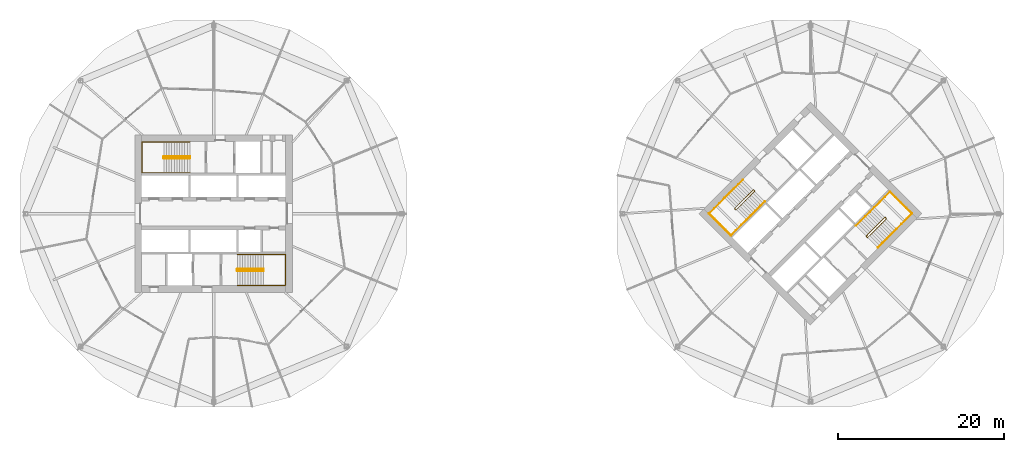
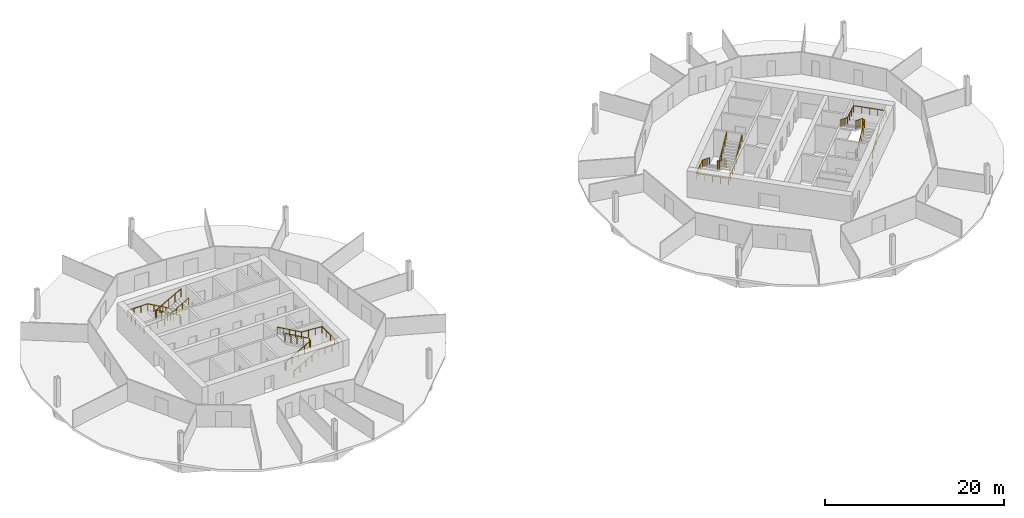
# One storey, part 9 of 9: 8 railings.
"""IFC4 building model written with IfcOpenShell, lengths in metres."""

from ifc_helpers import new_model, si_unit, direction, frame, origin, origin_2d, place, context, subcontext, project, spatial, circle, extrude, material, type_object, element, save


model = new_model("IFC4")

# Units and contexts
model_context = context("Model", 3, precision=1e-05, world=origin(), true_north=direction((0.0, 1.0)))
body_context = subcontext(model_context, "Body", "Model", "MODEL_VIEW")
ifc_project = project(units=[si_unit("LENGTHUNIT", "METRE"), si_unit("AREAUNIT", "SQUARE_METRE"), si_unit("VOLUMEUNIT", "CUBIC_METRE"), si_unit("PLANEANGLEUNIT", "RADIAN"), si_unit("MASSUNIT", "GRAM", prefix="KILO")], contexts=[model_context])

# Site, building, storey
site_placement = place(None, origin())
site = spatial("IfcSite", under=ifc_project, at=site_placement, CompositionType="ELEMENT")
building_placement = place(site_placement, origin())
building = spatial("IfcBuilding", under=site, at=building_placement, Name="Ogive Gate Towers", CompositionType="ELEMENT")
storey_placement = place(building_placement, frame((0.0, 0.0, 80.10009765625)))
storey = spatial("IfcBuildingStorey", under=building, at=storey_placement, Name="L18", CompositionType="ELEMENT", Elevation=80.10009765625)

# Railings
ifc_material = material(Name="Stainless steel", Category="steel")
railing_type_1 = type_object("IfcRailingType", Name="Stair guard 1100", PredefinedType="GUARDRAIL", material=ifc_material)
railing_1_placement = place(storey_placement, frame((-38.81494140625, 6.860107421875, 0.0)))
element("IfcRailing", 1, at=railing_1_placement, inside=storey, type_object=railing_type_1, Name="L18 ST1 stair guard 1", PredefinedType="GUARDRAIL", context=body_context, shape_type="SweptSolid", body=[
    extrude(circle(Radius=0.02392578125, at=origin_2d()), frame((0.0, 0.0, 1.076171875), z_axis=(0.0, -1.0, 0.0), x_axis=(1.0, 0.0, 0.0)), (0.0, 0.0, 1.0), 0.14501953125),
    extrude(circle(Radius=0.02392578125, at=origin_2d()), frame((0.0, -0.14501953125, 1.076171875), z_axis=(-0.186679794065, 0.726685247142, 0.661119660934), x_axis=(-0.968551454522, -0.24881334358, 0.0)), (0.0, 0.0, 1.0), 0.26806640625),
    extrude(circle(Radius=0.02392578125, at=origin_2d()), frame((-0.050048828125, 0.0498046875, 1.25341796875), z_axis=(-0.870572935281, 0.0, 0.492039393094), x_axis=(0.0, -1.0, 0.0)), (0.0, 0.0, 1.0), 3.602783203125),
    extrude(circle(Radius=0.02392578125, at=origin_2d()), frame((-3.1865234375, 0.0498046875, 3.02587890625), z_axis=(-0.707106781187, -0.707106781187, 0.0), x_axis=(0.707106781187, -0.707106781187, 0.0)), (0.0, 0.0, 1.0), 0.0703125),
    extrude(circle(Radius=0.02392578125, at=origin_2d()), frame((-3.236328125, 0.0, 3.02587890625), z_axis=(0.0, -1.0, 0.0), x_axis=(1.0, 0.0, 0.0)), (0.0, 0.0, 1.0), 0.14501953125),
    extrude(circle(Radius=0.02392578125, at=origin_2d()), frame((-3.236328125, -0.14501953125, 3.02587890625), z_axis=(0.261041864531, -0.262321481514, 0.929001929653), x_axis=(0.708833529934, 0.705375805398, 0.0)), (0.0, 0.0, 1.0), 0.190673828125),
    extrude(circle(Radius=0.02392578125, at=origin_2d()), frame((-3.1865234375, -0.195068359375, 3.203125), z_axis=(0.870572935281, 0.0, 0.492039393094), x_axis=(0.0, 1.0, 0.0)), (0.0, 0.0, 1.0), 3.602783203125),
    extrude(circle(Radius=0.02099609375, at=origin_2d()), origin(), (0.0, 0.0, 1.0), 1.052001953125),
    extrude(circle(Radius=0.02099609375, at=origin_2d()), frame((0.0, -0.14501953125, 0.0)), (0.0, 0.0, 1.0), 1.052001953125),
    extrude(circle(Radius=0.02099609375, at=origin_2d()), frame((-0.050048828125, 0.0498046875, 0.17724609375)), (0.0, 0.0, 1.0), 1.052001953125),
    extrude(circle(Radius=0.02099609375, at=origin_2d()), frame((-0.834228515625, 0.0498046875, 0.620361328125)), (0.0, 0.0, 1.0), 1.052001953125),
    extrude(circle(Radius=0.02099609375, at=origin_2d()), frame((-1.6181640625, 0.0498046875, 1.0634765625)), (0.0, 0.0, 1.0), 1.052001953125),
    extrude(circle(Radius=0.02099609375, at=origin_2d()), frame((-2.40234375, 0.0498046875, 1.5068359375)), (0.0, 0.0, 1.0), 1.052001953125),
    extrude(circle(Radius=0.02099609375, at=origin_2d()), frame((-3.1865234375, 0.0498046875, 1.949951171875)), (0.0, 0.0, 1.0), 1.052001953125),
    extrude(circle(Radius=0.02099609375, at=origin_2d()), frame((-3.236328125, 0.0, 1.949951171875)), (0.0, 0.0, 1.0), 1.052001953125),
    extrude(circle(Radius=0.02099609375, at=origin_2d()), frame((-3.236328125, -0.14501953125, 1.949951171875)), (0.0, 0.0, 1.0), 1.052001953125),
    extrude(circle(Radius=0.02099609375, at=origin_2d()), frame((-3.1865234375, -0.195068359375, 2.127197265625)), (0.0, 0.0, 1.0), 1.052001953125),
    extrude(circle(Radius=0.02099609375, at=origin_2d()), frame((-2.40234375, -0.195068359375, 2.5703125)), (0.0, 0.0, 1.0), 1.052001953125),
    extrude(circle(Radius=0.02099609375, at=origin_2d()), frame((-1.6181640625, -0.195068359375, 3.013671875)), (0.0, 0.0, 1.0), 1.052001953125),
    extrude(circle(Radius=0.02099609375, at=origin_2d()), frame((-0.834228515625, -0.195068359375, 3.456787109375)), (0.0, 0.0, 1.0), 1.052001953125),
    extrude(circle(Radius=0.02099609375, at=origin_2d()), frame((-0.050048828125, -0.195068359375, 3.89990234375)), (0.0, 0.0, 1.0), 1.052001953125),
])
railing_2_placement = place(storey_placement, frame((-33.18505859375, -6.860107421875, 0.0)))
element("IfcRailing", 2, at=railing_2_placement, inside=storey, type_object=railing_type_1, Name="L18 ST2 stair guard 1", PredefinedType="GUARDRAIL", context=body_context, shape_type="SweptSolid", body=[
    extrude(circle(Radius=0.02392578125, at=origin_2d()), frame((0.0, 0.0, 1.076171875), z_axis=(0.0, 1.0, 0.0), x_axis=(-1.0, 0.0, 0.0)), (0.0, 0.0, 1.0), 0.14501953125),
    extrude(circle(Radius=0.02392578125, at=origin_2d()), frame((0.0, 0.14501953125, 1.076171875), z_axis=(0.186679794065, -0.726685247142, 0.661119660934), x_axis=(0.968551454522, 0.24881334358, 0.0)), (0.0, 0.0, 1.0), 0.26806640625),
    extrude(circle(Radius=0.02392578125, at=origin_2d()), frame((0.050048828125, -0.0498046875, 1.25341796875), z_axis=(0.870572935281, 0.0, 0.492039393094), x_axis=(0.0, 1.0, 0.0)), (0.0, 0.0, 1.0), 3.602783203125),
    extrude(circle(Radius=0.02392578125, at=origin_2d()), frame((3.1865234375, -0.0498046875, 3.02587890625), z_axis=(0.707106781187, 0.707106781187, 0.0), x_axis=(-0.707106781187, 0.707106781187, 0.0)), (0.0, 0.0, 1.0), 0.0703125),
    extrude(circle(Radius=0.02392578125, at=origin_2d()), frame((3.236328125, 0.0, 3.02587890625), z_axis=(0.0, 1.0, 0.0), x_axis=(-1.0, 0.0, 0.0)), (0.0, 0.0, 1.0), 0.14501953125),
    extrude(circle(Radius=0.02392578125, at=origin_2d()), frame((3.236328125, 0.14501953125, 3.02587890625), z_axis=(-0.261041864531, 0.262321481514, 0.929001929653), x_axis=(-0.708833529934, -0.705375805398, 0.0)), (0.0, 0.0, 1.0), 0.190673828125),
    extrude(circle(Radius=0.02392578125, at=origin_2d()), frame((3.1865234375, 0.195068359375, 3.203125), z_axis=(-0.870572935281, 0.0, 0.492039393094), x_axis=(0.0, -1.0, 0.0)), (0.0, 0.0, 1.0), 3.602783203125),
    extrude(circle(Radius=0.02099609375, at=origin_2d()), origin(), (0.0, 0.0, 1.0), 1.052001953125),
    extrude(circle(Radius=0.02099609375, at=origin_2d()), frame((0.0, 0.14501953125, 0.0)), (0.0, 0.0, 1.0), 1.052001953125),
    extrude(circle(Radius=0.02099609375, at=origin_2d()), frame((0.050048828125, -0.0498046875, 0.17724609375)), (0.0, 0.0, 1.0), 1.052001953125),
    extrude(circle(Radius=0.02099609375, at=origin_2d()), frame((0.834228515625, -0.0498046875, 0.620361328125)), (0.0, 0.0, 1.0), 1.052001953125),
    extrude(circle(Radius=0.02099609375, at=origin_2d()), frame((1.6181640625, -0.0498046875, 1.0634765625)), (0.0, 0.0, 1.0), 1.052001953125),
    extrude(circle(Radius=0.02099609375, at=origin_2d()), frame((2.40234375, -0.0498046875, 1.5068359375)), (0.0, 0.0, 1.0), 1.052001953125),
    extrude(circle(Radius=0.02099609375, at=origin_2d()), frame((3.1865234375, -0.0498046875, 1.949951171875)), (0.0, 0.0, 1.0), 1.052001953125),
    extrude(circle(Radius=0.02099609375, at=origin_2d()), frame((3.236328125, 0.0, 1.949951171875)), (0.0, 0.0, 1.0), 1.052001953125),
    extrude(circle(Radius=0.02099609375, at=origin_2d()), frame((3.236328125, 0.14501953125, 1.949951171875)), (0.0, 0.0, 1.0), 1.052001953125),
    extrude(circle(Radius=0.02099609375, at=origin_2d()), frame((3.1865234375, 0.195068359375, 2.127197265625)), (0.0, 0.0, 1.0), 1.052001953125),
    extrude(circle(Radius=0.02099609375, at=origin_2d()), frame((2.40234375, 0.195068359375, 2.5703125)), (0.0, 0.0, 1.0), 1.052001953125),
    extrude(circle(Radius=0.02099609375, at=origin_2d()), frame((1.6181640625, 0.195068359375, 3.013671875)), (0.0, 0.0, 1.0), 1.052001953125),
    extrude(circle(Radius=0.02099609375, at=origin_2d()), frame((0.834228515625, 0.195068359375, 3.456787109375)), (0.0, 0.0, 1.0), 1.052001953125),
    extrude(circle(Radius=0.02099609375, at=origin_2d()), frame((0.050048828125, 0.195068359375, 3.89990234375)), (0.0, 0.0, 1.0), 1.052001953125),
])
railing_3_placement = place(storey_placement, frame((29.15869140625, 2.8603515625, 0.0)))
element("IfcRailing", 3, at=railing_3_placement, inside=storey, type_object=railing_type_1, Name="L18 ST1 stair guard 1", PredefinedType="GUARDRAIL", context=body_context, shape_type="SweptSolid", body=[
    extrude(circle(Radius=0.02392578125, at=origin_2d()), frame((0.0, 0.0, 1.076171875), z_axis=(0.707106781187, -0.707106781187, 0.0), x_axis=(0.707106781187, 0.707106781187, 0.0)), (0.0, 0.0, 1.0), 0.14501953125),
    extrude(circle(Radius=0.02392578125, at=origin_2d()), frame((0.1025390625, -0.1025390625, 1.076171875), z_axis=(-0.645571447971, 0.382425963537, 0.661050594114), x_axis=(-0.509669330572, -0.860370369942, 0.0)), (0.0, 0.0, 1.0), 0.26806640625),
    extrude(circle(Radius=0.02392578125, at=origin_2d()), frame((-0.070556640625, 0.0, 1.25341796875), z_axis=(-0.61558473135, -0.61558473135, 0.49204763698), x_axis=(0.707106781187, -0.707106781187, 0.0)), (0.0, 0.0, 1.0), 3.602783203125),
    extrude(circle(Radius=0.02392578125, at=origin_2d()), frame((-2.288330078125, -2.2177734375, 3.02587890625), z_axis=(0.0, -1.0, 0.0), x_axis=(1.0, 0.0, 0.0)), (0.0, 0.0, 1.0), 0.07080078125),
    extrude(circle(Radius=0.02392578125, at=origin_2d()), frame((-2.288330078125, -2.28857421875, 3.02587890625), z_axis=(0.707106781187, -0.707106781187, 0.0), x_axis=(0.707106781187, 0.707106781187, 0.0)), (0.0, 0.0, 1.0), 0.14501953125),
    extrude(circle(Radius=0.02392578125, at=origin_2d()), frame((-2.185791015625, -2.39111328125, 3.02587890625), z_axis=(0.369845645421, 0.0, 0.929093213065), x_axis=(0.0, 1.0, 0.0)), (0.0, 0.0, 1.0), 0.190673828125),
    extrude(circle(Radius=0.02392578125, at=origin_2d()), frame((-2.115234375, -2.39111328125, 3.203125), z_axis=(0.61558473135, 0.61558473135, 0.49204763698), x_axis=(-0.707106781187, 0.707106781187, 0.0)), (0.0, 0.0, 1.0), 3.602783203125),
    extrude(circle(Radius=0.02099609375, at=origin_2d()), origin(), (0.0, 0.0, 1.0), 1.052001953125),
    extrude(circle(Radius=0.02099609375, at=origin_2d()), frame((0.1025390625, -0.1025390625, 0.0)), (0.0, 0.0, 1.0), 1.052001953125),
    extrude(circle(Radius=0.02099609375, at=origin_2d()), frame((-0.070556640625, 0.0, 0.17724609375)), (0.0, 0.0, 1.0), 1.052001953125),
    extrude(circle(Radius=0.02099609375, at=origin_2d()), frame((-0.625, -0.554443359375, 0.620361328125)), (0.0, 0.0, 1.0), 1.052001953125),
    extrude(circle(Radius=0.02099609375, at=origin_2d()), frame((-1.179443359375, -1.10888671875, 1.0634765625)), (0.0, 0.0, 1.0), 1.052001953125),
    extrude(circle(Radius=0.02099609375, at=origin_2d()), frame((-1.73388671875, -1.663330078125, 1.5068359375)), (0.0, 0.0, 1.0), 1.052001953125),
    extrude(circle(Radius=0.02099609375, at=origin_2d()), frame((-2.288330078125, -2.2177734375, 1.949951171875)), (0.0, 0.0, 1.0), 1.052001953125),
    extrude(circle(Radius=0.02099609375, at=origin_2d()), frame((-2.288330078125, -2.28857421875, 1.949951171875)), (0.0, 0.0, 1.0), 1.052001953125),
    extrude(circle(Radius=0.02099609375, at=origin_2d()), frame((-2.185791015625, -2.39111328125, 1.949951171875)), (0.0, 0.0, 1.0), 1.052001953125),
    extrude(circle(Radius=0.02099609375, at=origin_2d()), frame((-2.115234375, -2.39111328125, 2.127197265625)), (0.0, 0.0, 1.0), 1.052001953125),
    extrude(circle(Radius=0.02099609375, at=origin_2d()), frame((-1.560791015625, -1.836669921875, 2.5703125)), (0.0, 0.0, 1.0), 1.052001953125),
    extrude(circle(Radius=0.02099609375, at=origin_2d()), frame((-1.00634765625, -1.2822265625, 3.013671875)), (0.0, 0.0, 1.0), 1.052001953125),
    extrude(circle(Radius=0.02099609375, at=origin_2d()), frame((-0.451904296875, -0.727783203125, 3.456787109375)), (0.0, 0.0, 1.0), 1.052001953125),
    extrude(circle(Radius=0.02099609375, at=origin_2d()), frame((0.1025390625, -0.17333984375, 3.89990234375)), (0.0, 0.0, 1.0), 1.052001953125),
])
railing_4_placement = place(storey_placement, frame((42.84130859375, -2.8603515625, 0.0)))
element("IfcRailing", 4, at=railing_4_placement, inside=storey, type_object=railing_type_1, Name="L18 ST2 stair guard 1", PredefinedType="GUARDRAIL", context=body_context, shape_type="SweptSolid", body=[
    extrude(circle(Radius=0.02392578125, at=origin_2d()), frame((0.0, 0.0, 1.076171875), z_axis=(-0.707106781187, 0.707106781187, 0.0), x_axis=(-0.707106781187, -0.707106781187, 0.0)), (0.0, 0.0, 1.0), 0.14501953125),
    extrude(circle(Radius=0.02392578125, at=origin_2d()), frame((-0.1025390625, 0.1025390625, 1.076171875), z_axis=(0.645571447971, -0.382425963537, 0.661050594114), x_axis=(0.509669330572, 0.860370369942, 0.0)), (0.0, 0.0, 1.0), 0.26806640625),
    extrude(circle(Radius=0.02392578125, at=origin_2d()), frame((0.070556640625, 0.0, 1.25341796875), z_axis=(0.61558473135, 0.61558473135, 0.49204763698), x_axis=(-0.707106781187, 0.707106781187, 0.0)), (0.0, 0.0, 1.0), 3.602783203125),
    extrude(circle(Radius=0.02392578125, at=origin_2d()), frame((2.288330078125, 2.2177734375, 3.02587890625), z_axis=(0.0, 1.0, 0.0), x_axis=(-1.0, 0.0, 0.0)), (0.0, 0.0, 1.0), 0.07080078125),
    extrude(circle(Radius=0.02392578125, at=origin_2d()), frame((2.288330078125, 2.28857421875, 3.02587890625), z_axis=(-0.707106781187, 0.707106781187, 0.0), x_axis=(-0.707106781187, -0.707106781187, 0.0)), (0.0, 0.0, 1.0), 0.14501953125),
    extrude(circle(Radius=0.02392578125, at=origin_2d()), frame((2.185791015625, 2.39111328125, 3.02587890625), z_axis=(-0.369845645421, 0.0, 0.929093213065), x_axis=(0.0, -1.0, 0.0)), (0.0, 0.0, 1.0), 0.190673828125),
    extrude(circle(Radius=0.02392578125, at=origin_2d()), frame((2.115234375, 2.39111328125, 3.203125), z_axis=(-0.61558473135, -0.61558473135, 0.49204763698), x_axis=(0.707106781187, -0.707106781187, 0.0)), (0.0, 0.0, 1.0), 3.602783203125),
    extrude(circle(Radius=0.02099609375, at=origin_2d()), origin(), (0.0, 0.0, 1.0), 1.052001953125),
    extrude(circle(Radius=0.02099609375, at=origin_2d()), frame((-0.1025390625, 0.1025390625, 0.0)), (0.0, 0.0, 1.0), 1.052001953125),
    extrude(circle(Radius=0.02099609375, at=origin_2d()), frame((0.070556640625, 0.0, 0.17724609375)), (0.0, 0.0, 1.0), 1.052001953125),
    extrude(circle(Radius=0.02099609375, at=origin_2d()), frame((0.625, 0.554443359375, 0.620361328125)), (0.0, 0.0, 1.0), 1.052001953125),
    extrude(circle(Radius=0.02099609375, at=origin_2d()), frame((1.179443359375, 1.10888671875, 1.0634765625)), (0.0, 0.0, 1.0), 1.052001953125),
    extrude(circle(Radius=0.02099609375, at=origin_2d()), frame((1.73388671875, 1.663330078125, 1.5068359375)), (0.0, 0.0, 1.0), 1.052001953125),
    extrude(circle(Radius=0.02099609375, at=origin_2d()), frame((2.288330078125, 2.2177734375, 1.949951171875)), (0.0, 0.0, 1.0), 1.052001953125),
    extrude(circle(Radius=0.02099609375, at=origin_2d()), frame((2.288330078125, 2.28857421875, 1.949951171875)), (0.0, 0.0, 1.0), 1.052001953125),
    extrude(circle(Radius=0.02099609375, at=origin_2d()), frame((2.185791015625, 2.39111328125, 1.949951171875)), (0.0, 0.0, 1.0), 1.052001953125),
    extrude(circle(Radius=0.02099609375, at=origin_2d()), frame((2.115234375, 2.39111328125, 2.127197265625)), (0.0, 0.0, 1.0), 1.052001953125),
    extrude(circle(Radius=0.02099609375, at=origin_2d()), frame((1.560791015625, 1.836669921875, 2.5703125)), (0.0, 0.0, 1.0), 1.052001953125),
    extrude(circle(Radius=0.02099609375, at=origin_2d()), frame((1.00634765625, 1.2822265625, 3.013671875)), (0.0, 0.0, 1.0), 1.052001953125),
    extrude(circle(Radius=0.02099609375, at=origin_2d()), frame((0.451904296875, 0.727783203125, 3.456787109375)), (0.0, 0.0, 1.0), 1.052001953125),
    extrude(circle(Radius=0.02099609375, at=origin_2d()), frame((-0.1025390625, 0.17333984375, 3.89990234375)), (0.0, 0.0, 1.0), 1.052001953125),
])
railing_type_2 = type_object("IfcRailingType", Name="Stair handrail 900", PredefinedType="HANDRAIL", material=ifc_material)
railing_5_placement = place(storey_placement, frame((-38.864990234375, 8.64990234375, 0.17724609375)))
element("IfcRailing", 5, at=railing_5_placement, inside=storey, type_object=railing_type_2, Name="L18 ST1 stair handrail 1", PredefinedType="HANDRAIL", context=body_context, shape_type="SweptSolid", body=[
    extrude(circle(Radius=0.02392578125, at=origin_2d()), frame((0.0, 0.0, 0.8759765625), z_axis=(-0.870572935281, 0.0, 0.492039393094), x_axis=(0.0, -1.0, 0.0)), (0.0, 0.0, 1.0), 3.602783203125),
    extrude(circle(Radius=0.02392578125, at=origin_2d()), frame((-3.136474609375, 0.0, 2.6484375), z_axis=(-1.0, 0.0, 0.0), x_axis=(0.0, -1.0, 0.0)), (0.0, 0.0, 1.0), 2.6484375),
    extrude(circle(Radius=0.02392578125, at=origin_2d()), frame((-5.784912109375, 0.0, 2.6484375), z_axis=(0.0, -1.0, 0.0), x_axis=(1.0, 0.0, 0.0)), (0.0, 0.0, 1.0), 3.724853515625),
    extrude(circle(Radius=0.02392578125, at=origin_2d()), frame((-5.784912109375, -3.724853515625, 2.6484375), z_axis=(0.997768031817, 0.0, 0.066775404784), x_axis=(0.0, 1.0, 0.0)), (0.0, 0.0, 1.0), 2.654296875),
    extrude(circle(Radius=0.02392578125, at=origin_2d()), frame((-3.136474609375, -3.724853515625, 2.82568359375), z_axis=(0.870572935281, 0.0, 0.492039393094), x_axis=(0.0, 1.0, 0.0)), (0.0, 0.0, 1.0), 3.602783203125),
    extrude(circle(Radius=0.02099609375, at=origin_2d()), origin(), (0.0, 0.0, 1.0), 0.851806640625),
    extrude(circle(Radius=0.02099609375, at=origin_2d()), frame((-0.7841796875, 0.0, 0.443115234375)), (0.0, 0.0, 1.0), 0.851806640625),
    extrude(circle(Radius=0.02099609375, at=origin_2d()), frame((-1.568359375, 0.0, 0.88623046875)), (0.0, 0.0, 1.0), 0.851806640625),
    extrude(circle(Radius=0.02099609375, at=origin_2d()), frame((-2.352294921875, 0.0, 1.32958984375)), (0.0, 0.0, 1.0), 0.851806640625),
    extrude(circle(Radius=0.02099609375, at=origin_2d()), frame((-3.136474609375, 0.0, 1.772705078125)), (0.0, 0.0, 1.0), 0.851806640625),
    extrude(circle(Radius=0.02099609375, at=origin_2d()), frame((-4.019287109375, 0.0, 1.772705078125)), (0.0, 0.0, 1.0), 0.851806640625),
    extrude(circle(Radius=0.02099609375, at=origin_2d()), frame((-4.902099609375, 0.0, 1.772705078125)), (0.0, 0.0, 1.0), 0.851806640625),
    extrude(circle(Radius=0.02099609375, at=origin_2d()), frame((-5.784912109375, 0.0, 1.772705078125)), (0.0, 0.0, 1.0), 0.851806640625),
    extrude(circle(Radius=0.02099609375, at=origin_2d()), frame((-5.784912109375, -0.93115234375, 1.772705078125)), (0.0, 0.0, 1.0), 0.851806640625),
    extrude(circle(Radius=0.02099609375, at=origin_2d()), frame((-5.784912109375, -1.8623046875, 1.772705078125)), (0.0, 0.0, 1.0), 0.851806640625),
    extrude(circle(Radius=0.02099609375, at=origin_2d()), frame((-5.784912109375, -2.793701171875, 1.772705078125)), (0.0, 0.0, 1.0), 0.851806640625),
    extrude(circle(Radius=0.02099609375, at=origin_2d()), frame((-5.784912109375, -3.724853515625, 1.772705078125)), (0.0, 0.0, 1.0), 0.851806640625),
    extrude(circle(Radius=0.02099609375, at=origin_2d()), frame((-4.902099609375, -3.724853515625, 1.831787109375)), (0.0, 0.0, 1.0), 0.851806640625),
    extrude(circle(Radius=0.02099609375, at=origin_2d()), frame((-4.019287109375, -3.724853515625, 1.890869140625)), (0.0, 0.0, 1.0), 0.851806640625),
    extrude(circle(Radius=0.02099609375, at=origin_2d()), frame((-3.136474609375, -3.724853515625, 1.949951171875)), (0.0, 0.0, 1.0), 0.851806640625),
    extrude(circle(Radius=0.02099609375, at=origin_2d()), frame((-2.352294921875, -3.724853515625, 2.39306640625)), (0.0, 0.0, 1.0), 0.851806640625),
    extrude(circle(Radius=0.02099609375, at=origin_2d()), frame((-1.568359375, -3.724853515625, 2.83642578125)), (0.0, 0.0, 1.0), 0.851806640625),
    extrude(circle(Radius=0.02099609375, at=origin_2d()), frame((-0.7841796875, -3.724853515625, 3.279541015625)), (0.0, 0.0, 1.0), 0.851806640625),
    extrude(circle(Radius=0.02099609375, at=origin_2d()), frame((0.0, -3.724853515625, 3.72265625)), (0.0, 0.0, 1.0), 0.851806640625),
])
railing_6_placement = place(storey_placement, frame((-33.135009765625, -8.64990234375, 0.17724609375)))
element("IfcRailing", 6, at=railing_6_placement, inside=storey, type_object=railing_type_2, Name="L18 ST2 stair handrail 1", PredefinedType="HANDRAIL", context=body_context, shape_type="SweptSolid", body=[
    extrude(circle(Radius=0.02392578125, at=origin_2d()), frame((0.0, 0.0, 0.8759765625), z_axis=(0.870572935281, 0.0, 0.492039393094), x_axis=(0.0, 1.0, 0.0)), (0.0, 0.0, 1.0), 3.602783203125),
    extrude(circle(Radius=0.02392578125, at=origin_2d()), frame((3.136474609375, 0.0, 2.6484375), z_axis=(1.0, 0.0, 0.0), x_axis=(0.0, 1.0, 0.0)), (0.0, 0.0, 1.0), 2.6484375),
    extrude(circle(Radius=0.02392578125, at=origin_2d()), frame((5.784912109375, 0.0, 2.6484375), z_axis=(0.0, 1.0, 0.0), x_axis=(-1.0, 0.0, 0.0)), (0.0, 0.0, 1.0), 3.724853515625),
    extrude(circle(Radius=0.02392578125, at=origin_2d()), frame((5.784912109375, 3.724853515625, 2.6484375), z_axis=(-0.997768031817, 0.0, 0.066775404784), x_axis=(0.0, -1.0, 0.0)), (0.0, 0.0, 1.0), 2.654296875),
    extrude(circle(Radius=0.02392578125, at=origin_2d()), frame((3.136474609375, 3.724853515625, 2.82568359375), z_axis=(-0.870572935281, 0.0, 0.492039393094), x_axis=(0.0, -1.0, 0.0)), (0.0, 0.0, 1.0), 3.602783203125),
    extrude(circle(Radius=0.02099609375, at=origin_2d()), origin(), (0.0, 0.0, 1.0), 0.851806640625),
    extrude(circle(Radius=0.02099609375, at=origin_2d()), frame((0.7841796875, 0.0, 0.443115234375)), (0.0, 0.0, 1.0), 0.851806640625),
    extrude(circle(Radius=0.02099609375, at=origin_2d()), frame((1.568359375, 0.0, 0.88623046875)), (0.0, 0.0, 1.0), 0.851806640625),
    extrude(circle(Radius=0.02099609375, at=origin_2d()), frame((2.352294921875, 0.0, 1.32958984375)), (0.0, 0.0, 1.0), 0.851806640625),
    extrude(circle(Radius=0.02099609375, at=origin_2d()), frame((3.136474609375, 0.0, 1.772705078125)), (0.0, 0.0, 1.0), 0.851806640625),
    extrude(circle(Radius=0.02099609375, at=origin_2d()), frame((4.019287109375, 0.0, 1.772705078125)), (0.0, 0.0, 1.0), 0.851806640625),
    extrude(circle(Radius=0.02099609375, at=origin_2d()), frame((4.902099609375, 0.0, 1.772705078125)), (0.0, 0.0, 1.0), 0.851806640625),
    extrude(circle(Radius=0.02099609375, at=origin_2d()), frame((5.784912109375, 0.0, 1.772705078125)), (0.0, 0.0, 1.0), 0.851806640625),
    extrude(circle(Radius=0.02099609375, at=origin_2d()), frame((5.784912109375, 0.93115234375, 1.772705078125)), (0.0, 0.0, 1.0), 0.851806640625),
    extrude(circle(Radius=0.02099609375, at=origin_2d()), frame((5.784912109375, 1.8623046875, 1.772705078125)), (0.0, 0.0, 1.0), 0.851806640625),
    extrude(circle(Radius=0.02099609375, at=origin_2d()), frame((5.784912109375, 2.793701171875, 1.772705078125)), (0.0, 0.0, 1.0), 0.851806640625),
    extrude(circle(Radius=0.02099609375, at=origin_2d()), frame((5.784912109375, 3.724853515625, 1.772705078125)), (0.0, 0.0, 1.0), 0.851806640625),
    extrude(circle(Radius=0.02099609375, at=origin_2d()), frame((4.902099609375, 3.724853515625, 1.831787109375)), (0.0, 0.0, 1.0), 0.851806640625),
    extrude(circle(Radius=0.02099609375, at=origin_2d()), frame((4.019287109375, 3.724853515625, 1.890869140625)), (0.0, 0.0, 1.0), 0.851806640625),
    extrude(circle(Radius=0.02099609375, at=origin_2d()), frame((3.136474609375, 3.724853515625, 1.949951171875)), (0.0, 0.0, 1.0), 0.851806640625),
    extrude(circle(Radius=0.02099609375, at=origin_2d()), frame((2.352294921875, 3.724853515625, 2.39306640625)), (0.0, 0.0, 1.0), 0.851806640625),
    extrude(circle(Radius=0.02099609375, at=origin_2d()), frame((1.568359375, 3.724853515625, 2.83642578125)), (0.0, 0.0, 1.0), 0.851806640625),
    extrude(circle(Radius=0.02099609375, at=origin_2d()), frame((0.7841796875, 3.724853515625, 3.279541015625)), (0.0, 0.0, 1.0), 0.851806640625),
    extrude(circle(Radius=0.02099609375, at=origin_2d()), frame((0.0, 3.724853515625, 3.72265625)), (0.0, 0.0, 1.0), 0.851806640625),
])
railing_7_placement = place(storey_placement, frame((27.857666015625, 4.090576171875, 0.17724609375)))
element("IfcRailing", 7, at=railing_7_placement, inside=storey, type_object=railing_type_2, Name="L18 ST1 stair handrail 1", PredefinedType="HANDRAIL", context=body_context, shape_type="SweptSolid", body=[
    extrude(circle(Radius=0.02392578125, at=origin_2d()), frame((0.0, 0.0, 0.8759765625), z_axis=(-0.61558473135, -0.61558473135, 0.49204763698), x_axis=(0.707106781187, -0.707106781187, 0.0)), (0.0, 0.0, 1.0), 3.602783203125),
    extrude(circle(Radius=0.02392578125, at=origin_2d()), frame((-2.2177734375, -2.2177734375, 2.6484375), z_axis=(-0.707106781187, -0.707106781187, 0.0), x_axis=(0.707106781187, -0.707106781187, 0.0)), (0.0, 0.0, 1.0), 2.6484375),
    extrude(circle(Radius=0.02392578125, at=origin_2d()), frame((-4.090576171875, -4.090576171875, 2.6484375), z_axis=(0.707106781187, -0.707106781187, 0.0), x_axis=(0.707106781187, 0.707106781187, 0.0)), (0.0, 0.0, 1.0), 3.72509765625),
    extrude(circle(Radius=0.02392578125, at=origin_2d()), frame((-1.45654296875, -6.724609375, 2.6484375), z_axis=(0.705482886452, 0.705574853978, 0.066768423356), x_axis=(-0.70715286629, 0.70706069308, 0.0)), (0.0, 0.0, 1.0), 2.654541015625),
    extrude(circle(Radius=0.02392578125, at=origin_2d()), frame((0.416259765625, -4.8515625, 2.82568359375), z_axis=(0.615610411033, 0.615542642384, 0.4920681632), x_axis=(-0.70706785752, 0.70714570271, 0.0)), (0.0, 0.0, 1.0), 3.6025390625),
    extrude(circle(Radius=0.02099609375, at=origin_2d()), origin(), (0.0, 0.0, 1.0), 0.851806640625),
    extrude(circle(Radius=0.02099609375, at=origin_2d()), frame((-0.554443359375, -0.554443359375, 0.443115234375)), (0.0, 0.0, 1.0), 0.851806640625),
    extrude(circle(Radius=0.02099609375, at=origin_2d()), frame((-1.10888671875, -1.10888671875, 0.88623046875)), (0.0, 0.0, 1.0), 0.851806640625),
    extrude(circle(Radius=0.02099609375, at=origin_2d()), frame((-1.663330078125, -1.663330078125, 1.32958984375)), (0.0, 0.0, 1.0), 0.851806640625),
    extrude(circle(Radius=0.02099609375, at=origin_2d()), frame((-2.2177734375, -2.2177734375, 1.772705078125)), (0.0, 0.0, 1.0), 0.851806640625),
    extrude(circle(Radius=0.02099609375, at=origin_2d()), frame((-2.842041015625, -2.842041015625, 1.772705078125)), (0.0, 0.0, 1.0), 0.851806640625),
    extrude(circle(Radius=0.02099609375, at=origin_2d()), frame((-3.46630859375, -3.46630859375, 1.772705078125)), (0.0, 0.0, 1.0), 0.851806640625),
    extrude(circle(Radius=0.02099609375, at=origin_2d()), frame((-4.090576171875, -4.090576171875, 1.772705078125)), (0.0, 0.0, 1.0), 0.851806640625),
    extrude(circle(Radius=0.02099609375, at=origin_2d()), frame((-3.43212890625, -4.7490234375, 1.772705078125)), (0.0, 0.0, 1.0), 0.851806640625),
    extrude(circle(Radius=0.02099609375, at=origin_2d()), frame((-2.7734375, -5.40771484375, 1.772705078125)), (0.0, 0.0, 1.0), 0.851806640625),
    extrude(circle(Radius=0.02099609375, at=origin_2d()), frame((-2.114990234375, -6.066162109375, 1.772705078125)), (0.0, 0.0, 1.0), 0.851806640625),
    extrude(circle(Radius=0.02099609375, at=origin_2d()), frame((-1.45654296875, -6.724609375, 1.772705078125)), (0.0, 0.0, 1.0), 0.851806640625),
    extrude(circle(Radius=0.02099609375, at=origin_2d()), frame((-0.832275390625, -6.100341796875, 1.831787109375)), (0.0, 0.0, 1.0), 0.851806640625),
    extrude(circle(Radius=0.02099609375, at=origin_2d()), frame((-0.2080078125, -5.475830078125, 1.890869140625)), (0.0, 0.0, 1.0), 0.851806640625),
    extrude(circle(Radius=0.02099609375, at=origin_2d()), frame((0.416259765625, -4.8515625, 1.949951171875)), (0.0, 0.0, 1.0), 0.851806640625),
    extrude(circle(Radius=0.02099609375, at=origin_2d()), frame((0.970703125, -4.297119140625, 2.39306640625)), (0.0, 0.0, 1.0), 0.851806640625),
    extrude(circle(Radius=0.02099609375, at=origin_2d()), frame((1.525146484375, -3.74267578125, 2.83642578125)), (0.0, 0.0, 1.0), 0.851806640625),
    extrude(circle(Radius=0.02099609375, at=origin_2d()), frame((2.07958984375, -3.1884765625, 3.279541015625)), (0.0, 0.0, 1.0), 0.851806640625),
    extrude(circle(Radius=0.02099609375, at=origin_2d()), frame((2.634033203125, -2.634033203125, 3.72265625)), (0.0, 0.0, 1.0), 0.851806640625),
])
railing_8_placement = place(storey_placement, frame((44.142333984375, -4.090576171875, 0.17724609375)))
element("IfcRailing", 8, at=railing_8_placement, inside=storey, type_object=railing_type_2, Name="L18 ST2 stair handrail 1", PredefinedType="HANDRAIL", context=body_context, shape_type="SweptSolid", body=[
    extrude(circle(Radius=0.02392578125, at=origin_2d()), frame((0.0, 0.0, 0.8759765625), z_axis=(0.61558473135, 0.61558473135, 0.49204763698), x_axis=(-0.707106781187, 0.707106781187, 0.0)), (0.0, 0.0, 1.0), 3.602783203125),
    extrude(circle(Radius=0.02392578125, at=origin_2d()), frame((2.2177734375, 2.2177734375, 2.6484375), z_axis=(0.707106781187, 0.707106781187, 0.0), x_axis=(-0.707106781187, 0.707106781187, 0.0)), (0.0, 0.0, 1.0), 2.6484375),
    extrude(circle(Radius=0.02392578125, at=origin_2d()), frame((4.090576171875, 4.090576171875, 2.6484375), z_axis=(-0.707106781187, 0.707106781187, 0.0), x_axis=(-0.707106781187, -0.707106781187, 0.0)), (0.0, 0.0, 1.0), 3.72509765625),
    extrude(circle(Radius=0.02392578125, at=origin_2d()), frame((1.45654296875, 6.724609375, 2.6484375), z_axis=(-0.705482886452, -0.705574853978, 0.066768423356), x_axis=(0.70715286629, -0.70706069308, 0.0)), (0.0, 0.0, 1.0), 2.654541015625),
    extrude(circle(Radius=0.02392578125, at=origin_2d()), frame((-0.416259765625, 4.8515625, 2.82568359375), z_axis=(-0.615610411033, -0.615542642384, 0.4920681632), x_axis=(0.70706785752, -0.70714570271, 0.0)), (0.0, 0.0, 1.0), 3.6025390625),
    extrude(circle(Radius=0.02099609375, at=origin_2d()), origin(), (0.0, 0.0, 1.0), 0.851806640625),
    extrude(circle(Radius=0.02099609375, at=origin_2d()), frame((0.554443359375, 0.554443359375, 0.443115234375)), (0.0, 0.0, 1.0), 0.851806640625),
    extrude(circle(Radius=0.02099609375, at=origin_2d()), frame((1.10888671875, 1.10888671875, 0.88623046875)), (0.0, 0.0, 1.0), 0.851806640625),
    extrude(circle(Radius=0.02099609375, at=origin_2d()), frame((1.663330078125, 1.663330078125, 1.32958984375)), (0.0, 0.0, 1.0), 0.851806640625),
    extrude(circle(Radius=0.02099609375, at=origin_2d()), frame((2.2177734375, 2.2177734375, 1.772705078125)), (0.0, 0.0, 1.0), 0.851806640625),
    extrude(circle(Radius=0.02099609375, at=origin_2d()), frame((2.842041015625, 2.842041015625, 1.772705078125)), (0.0, 0.0, 1.0), 0.851806640625),
    extrude(circle(Radius=0.02099609375, at=origin_2d()), frame((3.46630859375, 3.46630859375, 1.772705078125)), (0.0, 0.0, 1.0), 0.851806640625),
    extrude(circle(Radius=0.02099609375, at=origin_2d()), frame((4.090576171875, 4.090576171875, 1.772705078125)), (0.0, 0.0, 1.0), 0.851806640625),
    extrude(circle(Radius=0.02099609375, at=origin_2d()), frame((3.43212890625, 4.7490234375, 1.772705078125)), (0.0, 0.0, 1.0), 0.851806640625),
    extrude(circle(Radius=0.02099609375, at=origin_2d()), frame((2.7734375, 5.40771484375, 1.772705078125)), (0.0, 0.0, 1.0), 0.851806640625),
    extrude(circle(Radius=0.02099609375, at=origin_2d()), frame((2.114990234375, 6.066162109375, 1.772705078125)), (0.0, 0.0, 1.0), 0.851806640625),
    extrude(circle(Radius=0.02099609375, at=origin_2d()), frame((1.45654296875, 6.724609375, 1.772705078125)), (0.0, 0.0, 1.0), 0.851806640625),
    extrude(circle(Radius=0.02099609375, at=origin_2d()), frame((0.832275390625, 6.100341796875, 1.831787109375)), (0.0, 0.0, 1.0), 0.851806640625),
    extrude(circle(Radius=0.02099609375, at=origin_2d()), frame((0.2080078125, 5.475830078125, 1.890869140625)), (0.0, 0.0, 1.0), 0.851806640625),
    extrude(circle(Radius=0.02099609375, at=origin_2d()), frame((-0.416259765625, 4.8515625, 1.949951171875)), (0.0, 0.0, 1.0), 0.851806640625),
    extrude(circle(Radius=0.02099609375, at=origin_2d()), frame((-0.970703125, 4.297119140625, 2.39306640625)), (0.0, 0.0, 1.0), 0.851806640625),
    extrude(circle(Radius=0.02099609375, at=origin_2d()), frame((-1.525146484375, 3.74267578125, 2.83642578125)), (0.0, 0.0, 1.0), 0.851806640625),
    extrude(circle(Radius=0.02099609375, at=origin_2d()), frame((-2.07958984375, 3.1884765625, 3.279541015625)), (0.0, 0.0, 1.0), 0.851806640625),
    extrude(circle(Radius=0.02099609375, at=origin_2d()), frame((-2.634033203125, 2.634033203125, 3.72265625)), (0.0, 0.0, 1.0), 0.851806640625),
])

save(model, "model.ifc")
